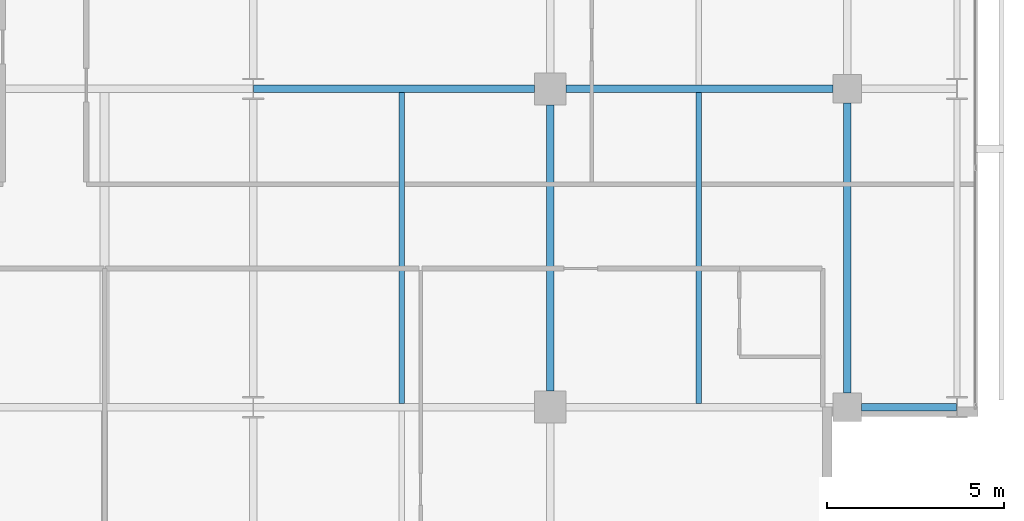
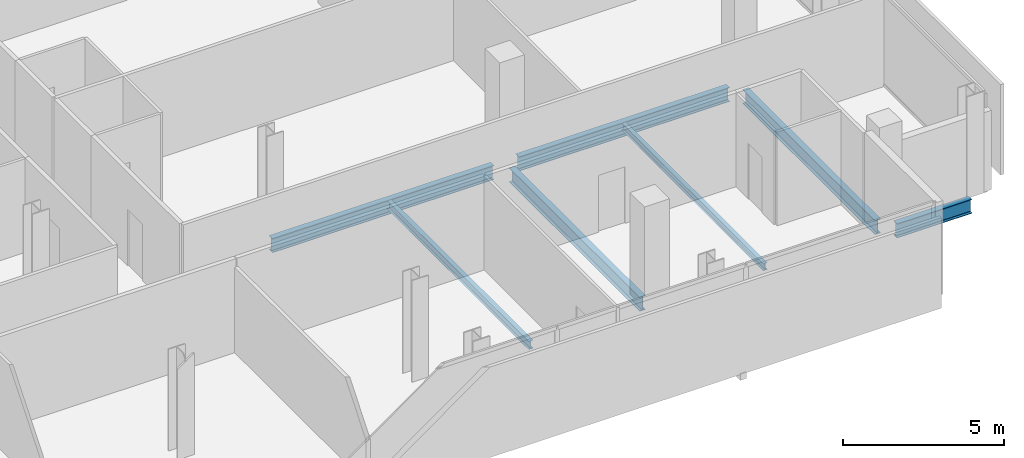
# One storey, part 14 of 32: 7 beams.
"""IFC4 building model written with IfcOpenShell, lengths in metres."""

from ifc_helpers import new_model, si_unit, direction, frame, origin, origin_2d, place, context, subcontext, project, spatial, i_section, extrude, material, material_profile, profile_set, type_object, element, save


model = new_model("IFC4")

# Units and contexts
model_context = context("Model", 3, precision=1e-05, world=origin(), true_north=direction((0.0, 1.0)))
body_context = subcontext(model_context, "Body", "Model", "MODEL_VIEW")
ifc_project = project(units=[si_unit("LENGTHUNIT", "METRE"), si_unit("AREAUNIT", "SQUARE_METRE"), si_unit("VOLUMEUNIT", "CUBIC_METRE"), si_unit("PLANEANGLEUNIT", "RADIAN"), si_unit("MASSUNIT", "GRAM", prefix="KILO")], contexts=[model_context])

# Site, building, storey
site_placement = place(None, origin())
site = spatial("IfcSite", under=ifc_project, at=site_placement, CompositionType="ELEMENT")
building_placement = place(site_placement, origin())
building = spatial("IfcBuilding", under=site, at=building_placement, Name="Maruvema Waterfront Hotel and Observation Tower", CompositionType="ELEMENT")
storey_placement = place(building_placement, frame((0.0, 0.0, 223.64990234375)))
storey = spatial("IfcBuildingStorey", under=building, at=storey_placement, Name="L55", CompositionType="ELEMENT", Elevation=223.64990234375)

# Beams
ifc_material_1 = material(Name="Steel ASTM A572 Grade 50", Category="steel")
ifc_material_profile_1 = material_profile(ifc_material_1, i_section(OverallWidth=0.2109375, OverallDepth=0.5390625, WebThickness=0.01171875, FlangeThickness=0.018798828125, FilletRadius=0.014892578125, at=origin_2d()), Name="W530x109.0")
ifc_profile_set_1 = profile_set([ifc_material_profile_1], Name="Steel ASTM A572 Grade 50")
beam_type_1 = type_object("IfcBeamType", Name="Primary Floor Girder W530x109.0", PredefinedType="BEAM", material=ifc_profile_set_1)
beam_1_placement = place(storey_placement, frame((59.199951171875, 9.0, -0.509521484375), z_axis=(1.0, 0.0, 0.0), x_axis=(0.0, 1.0, 0.0)))
element("IfcBeam", 1, at=beam_1_placement, inside=storey, type_object=beam_type_1, Name="L55 Floor Girder EW-10", PredefinedType="BEAM", context=body_context, shape_type="SweptSolid", body=[
    extrude(i_section(OverallWidth=0.2109375, OverallDepth=0.5390625, WebThickness=0.01171875, FlangeThickness=0.018798828125, FilletRadius=0.014892578125, at=origin_2d()), origin(), (0.0, 0.0, 1.0), 2.6875),
])
beam_2_placement = place(storey_placement, frame((42.012451171875, 18.0, -0.509521484375), z_axis=(1.0, 0.0, 0.0), x_axis=(0.0, 1.0, 0.0)))
element("IfcBeam", 2, at=beam_2_placement, inside=storey, type_object=beam_type_1, Name="L55 Floor Girder EW-15", PredefinedType="BEAM", context=body_context, shape_type="SweptSolid", body=[
    extrude(i_section(OverallWidth=0.2109375, OverallDepth=0.5390625, WebThickness=0.01171875, FlangeThickness=0.018798828125, FilletRadius=0.014892578125, at=origin_2d()), origin(), (0.0, 0.0, 1.0), 7.9375),
])
beam_3_placement = place(storey_placement, frame((50.85009765625, 18.0, -0.509521484375), z_axis=(1.0, 0.0, 0.0), x_axis=(0.0, 1.0, 0.0)))
element("IfcBeam", 3, at=beam_3_placement, inside=storey, type_object=beam_type_1, Name="L55 Floor Girder EW-16", PredefinedType="BEAM", context=body_context, shape_type="SweptSolid", body=[
    extrude(i_section(OverallWidth=0.2109375, OverallDepth=0.5390625, WebThickness=0.01171875, FlangeThickness=0.018798828125, FilletRadius=0.014892578125, at=origin_2d()), origin(), (0.0, 0.0, 1.0), 7.5498046875),
])
beam_4_placement = place(storey_placement, frame((50.39990234375, 9.449951171875, -0.509521484375), z_axis=(0.0, 1.0, 0.0), x_axis=(-1.0, 0.0, 0.0)))
element("IfcBeam", 4, at=beam_4_placement, inside=storey, type_object=beam_type_1, Name="L55 Floor Girder NS-21", PredefinedType="BEAM", context=body_context, shape_type="SweptSolid", body=[
    extrude(i_section(OverallWidth=0.2109375, OverallDepth=0.5390625, WebThickness=0.01171875, FlangeThickness=0.018798828125, FilletRadius=0.014892578125, at=origin_2d()), origin(), (0.0, 0.0, 1.0), 8.10009765625),
])
beam_5_placement = place(storey_placement, frame((58.800048828125, 9.39990234375, -0.509521484375), z_axis=(0.0, 1.0, 0.0), x_axis=(-1.0, 0.0, 0.0)))
element("IfcBeam", 5, at=beam_5_placement, inside=storey, type_object=beam_type_1, Name="L55 Floor Girder NS-25", PredefinedType="BEAM", context=body_context, shape_type="SweptSolid", body=[
    extrude(i_section(OverallWidth=0.2109375, OverallDepth=0.5390625, WebThickness=0.01171875, FlangeThickness=0.018798828125, FilletRadius=0.014892578125, at=origin_2d()), origin(), (0.0, 0.0, 1.0), 8.2001953125),
])
ifc_material_2 = material(Name="Steel ASTM A572 Grade 50", Category="steel")
ifc_material_profile_2 = material_profile(ifc_material_2, i_section(OverallWidth=0.14794921875, OverallDepth=0.26611328125, WebThickness=0.007568359375, FlangeThickness=0.012939453125, FilletRadius=0.012939453125, at=origin_2d()), Name="W250x44.8")
ifc_profile_set_2 = profile_set([ifc_material_profile_2], Name="Steel ASTM A572 Grade 50")
beam_type_2 = type_object("IfcBeamType", Name="Secondary Floor Joist W250x44.8", PredefinedType="JOIST", material=ifc_profile_set_2)
beam_6_placement = place(storey_placement, frame((54.60009765625, 9.10546875, -0.372802734375), z_axis=(0.0, 1.0, 0.0), x_axis=(-1.0, 0.0, 0.0)))
element("IfcBeam", 6, at=beam_6_placement, inside=storey, type_object=beam_type_2, Name="L55 Secondary Floor Joist JS-11", PredefinedType="JOIST", context=body_context, shape_type="SweptSolid", body=[
    extrude(i_section(OverallWidth=0.14794921875, OverallDepth=0.26611328125, WebThickness=0.007568359375, FlangeThickness=0.012939453125, FilletRadius=0.012939453125, at=origin_2d()), origin(), (0.0, 0.0, 1.0), 8.7890625),
])
ifc_material_3 = material(Name="Steel ASTM A572 Grade 50", Category="steel")
ifc_material_profile_3 = material_profile(ifc_material_3, i_section(OverallWidth=0.1650390625, OverallDepth=0.31005859375, WebThickness=0.005859375, FlangeThickness=0.009765625, FilletRadius=0.012939453125, at=origin_2d()), Name="W310x38.7")
ifc_profile_set_3 = profile_set([ifc_material_profile_3], Name="Steel ASTM A572 Grade 50")
beam_type_3 = type_object("IfcBeamType", Name="Secondary Floor Joist W310x38.7", PredefinedType="JOIST", material=ifc_profile_set_3)
beam_7_placement = place(storey_placement, frame((46.199951171875, 9.10546875, -0.39501953125), z_axis=(0.0, 1.0, 0.0), x_axis=(-1.0, 0.0, 0.0)))
element("IfcBeam", 7, at=beam_7_placement, inside=storey, type_object=beam_type_3, Name="L55 Secondary Floor Joist JS-10", PredefinedType="JOIST", context=body_context, shape_type="SweptSolid", body=[
    extrude(i_section(OverallWidth=0.1650390625, OverallDepth=0.31005859375, WebThickness=0.005859375, FlangeThickness=0.009765625, FilletRadius=0.012939453125, at=origin_2d()), origin(), (0.0, 0.0, 1.0), 8.7890625),
])

save(model, "model.ifc")
